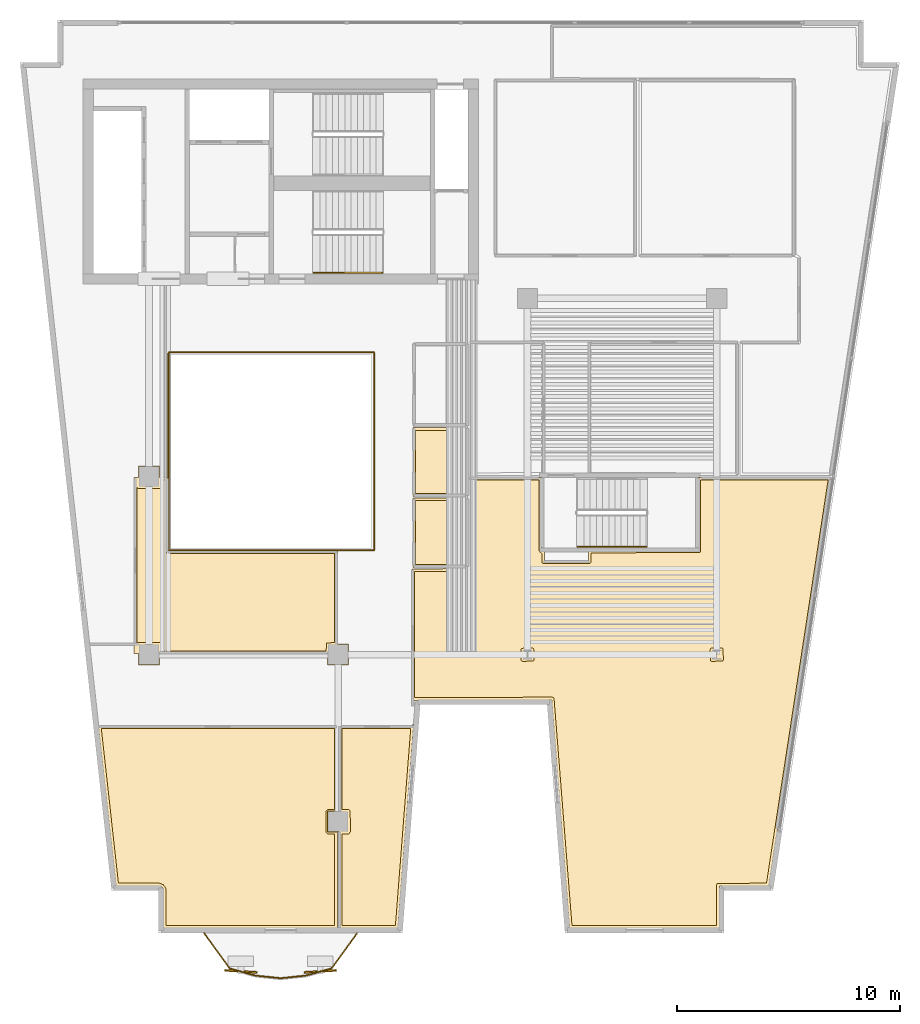
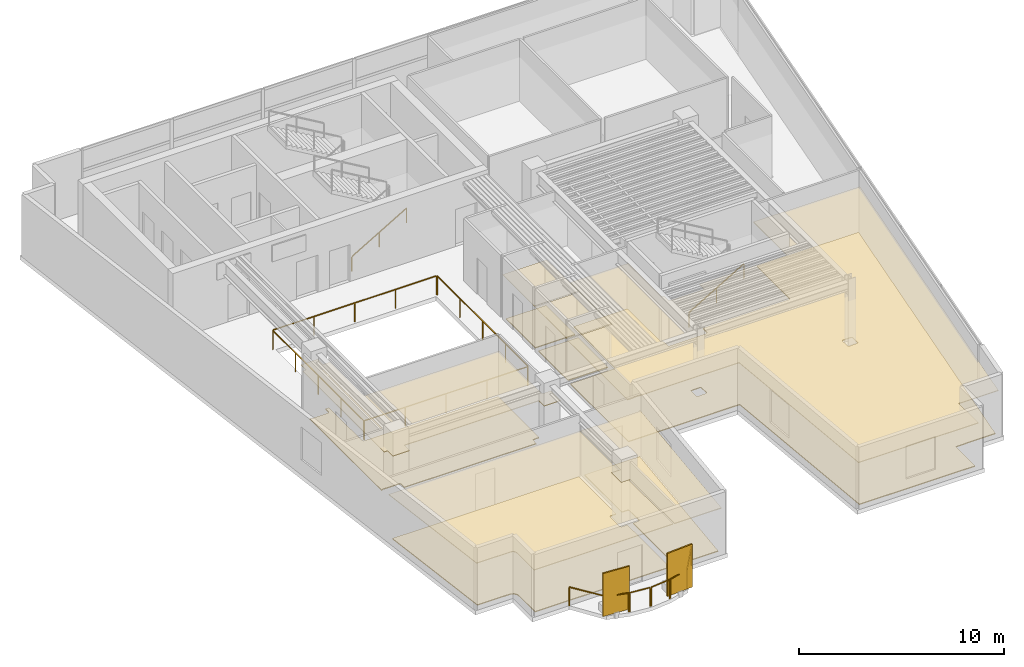
# One storey, part 7 of 8: 12 coverings, 12 railings, 2 shading devices.
"""IFC4 building model written with IfcOpenShell, lengths in metres."""

from ifc_helpers import new_model, si_unit, direction, frame, origin, origin_2d, place, context, subcontext, project, spatial, polyline, rectangle, outline, extrude, material, layer, layer_set, type_object, element, save


model = new_model("IFC4")

# Units and contexts
model_context = context("Model", 3, precision=1e-05, world=origin(), true_north=direction((0.0, 1.0)))
body_context = subcontext(model_context, "Body", "Model", "MODEL_VIEW")
ifc_project = project(units=[si_unit("LENGTHUNIT", "METRE"), si_unit("AREAUNIT", "SQUARE_METRE"), si_unit("VOLUMEUNIT", "CUBIC_METRE"), si_unit("PLANEANGLEUNIT", "RADIAN"), si_unit("MASSUNIT", "GRAM", prefix="KILO")], contexts=[model_context])

# Site, building, storey
site_placement = place(None, origin())
site = spatial("IfcSite", under=ifc_project, at=site_placement, CompositionType="ELEMENT")
building_placement = place(site_placement, origin())
building = spatial("IfcBuilding", under=site, at=building_placement, Name="Caeloran Harvest Quay", CompositionType="ELEMENT")
storey_placement = place(building_placement, frame((0.0, 0.0, 239.050048828125)))
storey = spatial("IfcBuildingStorey", under=building, at=storey_placement, Name="L57", CompositionType="ELEMENT", Elevation=239.050048828125)

# Coverings
ifc_material_1 = material(Name="Perforated Mineral-Fibre Acoustic Ceiling Tile", Category="ceiling")
ifc_layer_1 = layer(ifc_material_1, 0.0400390625, Name="Perforated Mineral-Fibre Acoustic Ceiling Tile")
ifc_layer_set_1 = layer_set([ifc_layer_1], Name="Perforated Mineral-Fibre Acoustic Ceiling Tile")
covering_type_1 = type_object("IfcCoveringType", Name="COV-CEILING-ACOUSTIC", PredefinedType="CEILING", material=ifc_layer_set_1)
covering_1_placement = place(storey_placement, frame((0.0, 0.0, 2.599853515625)))
element("IfcCovering", 1, at=covering_1_placement, inside=storey, type_object=covering_type_1, Name="L57 Female Washroom WC Acoustic Ceiling", PredefinedType="CEILING", context=body_context, shape_type="SweptSolid", body=[
    extrude(outline(polyline([(22.840087890625, 25.18994140625), (22.840087890625, 22.110107421875), (20.360107421875, 22.110107421875), (20.360107421875, 25.18994140625), (22.840087890625, 25.18994140625)])), origin(), (0.0, 0.0, 1.0), 0.0400390625),
])
covering_2_placement = place(storey_placement, frame((0.0, 0.0, 2.599853515625)))
element("IfcCovering", 2, at=covering_2_placement, inside=storey, type_object=covering_type_1, Name="L57 Accessible Unisex Washroom WC Acoustic Ceiling", PredefinedType="CEILING", context=body_context, shape_type="SweptSolid", body=[
    extrude(outline(polyline([(22.840087890625, 22.0400390625), (22.840087890625, 18.919921875), (20.360107421875, 18.919921875), (20.360107421875, 22.0400390625), (22.840087890625, 22.0400390625)])), origin(), (0.0, 0.0, 1.0), 0.0400390625),
])
covering_3_placement = place(storey_placement, frame((0.0, 0.0, 2.599853515625)))
element("IfcCovering", 3, at=covering_3_placement, inside=storey, type_object=covering_type_1, Name="Sawtooth Terrace Design Studio Office Acoustic Ceiling", PredefinedType="CEILING", context=body_context, shape_type="SweptSolid", body=[
    extrude(outline(polyline([(17.0400390625, 7.030029296875), (16.530029296875, 7.030029296875), (16.530029296875, 7.969970703125), (17.0400390625, 7.969970703125), (17.0400390625, 11.81005859375), (20.31494140625, 11.81005859375), (20.394287109375, 11.9169921875), (19.680419921875, 2.719970703125), (17.0400390625, 2.719970703125), (17.0400390625, 7.030029296875)])), origin(), (0.0, 0.0, 1.0), 0.0400390625),
])
covering_4_placement = place(storey_placement, frame((0.0, 0.0, 2.599853515625)))
element("IfcCovering", 4, at=covering_4_placement, inside=storey, type_object=covering_type_1, Name="Botanical Architecture Atelier Acoustic Ceiling", PredefinedType="CEILING", context=body_context, shape_type="SweptSolid", body=[
    extrude(outline(polyline([(9.1298828125, 4.503662109375), (9.05810546875, 4.5830078125), (8.95751953125, 4.618896484375), (7.022705078125, 4.6201171875), (6.227294921875, 11.81005859375), (16.9599609375, 11.81005859375), (16.9599609375, 7.969970703125), (17.469970703125, 7.969970703125), (17.469970703125, 7.030029296875), (16.9599609375, 7.030029296875), (16.9599609375, 2.719970703125), (9.156005859375, 2.719970703125), (9.156005859375, 4.39892578125), (9.1298828125, 4.503662109375)])), origin(), (0.0, 0.0, 1.0), 0.0400390625),
])
covering_5_placement = place(storey_placement, frame((0.0, 0.0, 2.599853515625)))
element("IfcCovering", 5, at=covering_5_placement, inside=storey, type_object=covering_type_1, Name="Material Testing Laboratory Acoustic Ceiling", PredefinedType="CEILING", context=body_context, shape_type="SweptSolid", body=[
    extrude(outline(polyline([(26.587646484375, 12.9677734375), (20.68505859375, 12.969970703125), (20.593017578125, 12.95068359375), (20.31005859375, 12.949951171875), (20.31005859375, 18.849853515625), (22.864990234375, 18.863037109375), (22.8701171875, 22.9599609375), (26.139892578125, 22.9599609375), (26.139892578125, 19.69921875), (26.259765625, 19.6044921875), (26.26318359375, 19.2099609375), (28.239990234375, 19.2099609375), (28.239990234375, 19.68994140625), (33.159912109375, 19.68994140625), (33.159912109375, 22.9599609375), (39.139404296875, 22.9599609375), (36.33740234375, 4.6201171875), (34.115966796875, 4.6201171875), (34.115966796875, 2.719970703125), (27.387451171875, 2.719970703125), (26.587646484375, 12.9677734375)])), origin(), (0.0, 0.0, 1.0), 0.0400390625),
])
covering_6_placement = place(storey_placement, frame((0.0, 0.0, 2.599853515625)))
element("IfcCovering", 6, at=covering_6_placement, inside=storey, type_object=covering_type_1, Name="Principal Partner Office Acoustic Ceiling", PredefinedType="CEILING", context=body_context, shape_type="SweptSolid", body=[
    extrude(outline(polyline([(8.030029296875, 15.0400390625), (7.840087890625, 15.0400390625), (7.840087890625, 22.9599609375), (8.030029296875, 22.9599609375), (8.030029296875, 23.469970703125), (8.969970703125, 23.469970703125), (8.969970703125, 22.9599609375), (9.360107421875, 22.9599609375), (9.360107421875, 19.659912109375), (16.9599609375, 19.659912109375), (16.9599609375, 15.469970703125), (17.469970703125, 15.469970703125), (17.469970703125, 14.530029296875), (16.530029296875, 14.530029296875), (16.530029296875, 15.0400390625), (8.969970703125, 15.0400390625), (8.969970703125, 14.530029296875), (8.030029296875, 14.530029296875), (8.030029296875, 15.0400390625)])), origin(), (0.0, 0.0, 1.0), 0.0400390625),
])
ifc_material_2 = material(Name="Calcium-Sulphate Raised Access Floor and Terrazzo Finish", Category="flooring")
ifc_layer_2 = layer(ifc_material_2, 0.050048828125, Name="Calcium-Sulphate Raised Access Floor and Terrazzo Finish")
ifc_layer_set_2 = layer_set([ifc_layer_2], Name="Calcium-Sulphate Raised Access Floor and Terrazzo Finish")
covering_type_2 = type_object("IfcCoveringType", Name="COV-FLOOR-RAISED", PredefinedType="FLOORING", material=ifc_layer_set_2)
covering_7_placement = place(storey_placement, origin())
element("IfcCovering", 7, at=covering_7_placement, inside=storey, type_object=covering_type_2, Name="L57 Female Washroom WC Raised Finish Flooring", PredefinedType="FLOORING", context=body_context, shape_type="SweptSolid", body=[
    extrude(outline(polyline([(22.719970703125, 25.070068359375), (22.719970703125, 22.22998046875), (20.47998046875, 22.22998046875), (20.47998046875, 25.070068359375), (22.719970703125, 25.070068359375)])), origin(), (0.0, 0.0, 1.0), 0.050048828125),
])
covering_8_placement = place(storey_placement, origin())
element("IfcCovering", 8, at=covering_8_placement, inside=storey, type_object=covering_type_2, Name="L57 Accessible Unisex Washroom WC Raised Finish Flooring", PredefinedType="FLOORING", context=body_context, shape_type="SweptSolid", body=[
    extrude(outline(polyline([(22.719970703125, 21.919921875), (22.719970703125, 19.0400390625), (20.47998046875, 19.0400390625), (20.47998046875, 21.919921875), (22.719970703125, 21.919921875)])), origin(), (0.0, 0.0, 1.0), 0.050048828125),
])
covering_9_placement = place(storey_placement, origin())
element("IfcCovering", 9, at=covering_9_placement, inside=storey, type_object=covering_type_2, Name="Sawtooth Terrace Design Studio Office Raised Finish Flooring", PredefinedType="FLOORING", context=body_context, shape_type="SweptSolid", body=[
    extrude(outline(polyline([(17.159912109375, 2.840087890625), (17.159912109375, 6.955078125), (17.480712890625, 6.95654296875), (17.544921875, 7.034912109375), (17.538818359375, 7.99560546875), (17.472900390625, 8.044677734375), (17.159912109375, 8.044921875), (17.159912109375, 11.68994140625), (20.256591796875, 11.68994140625), (19.569580078125, 2.840087890625), (17.159912109375, 2.840087890625)])), origin(), (0.0, 0.0, 1.0), 0.050048828125),
])
covering_10_placement = place(storey_placement, origin())
element("IfcCovering", 10, at=covering_10_placement, inside=storey, type_object=covering_type_2, Name="Botanical Architecture Atelier Raised Finish Flooring", PredefinedType="FLOORING", context=body_context, shape_type="SweptSolid", body=[
    extrude(outline(polyline([(9.25146484375, 4.5263671875), (9.148681640625, 4.665283203125), (8.97314453125, 4.73779296875), (7.13037109375, 4.739990234375), (6.361328125, 11.68994140625), (16.840087890625, 11.68994140625), (16.840087890625, 8.044921875), (16.519287109375, 8.04345703125), (16.455078125, 7.965087890625), (16.461181640625, 7.00439453125), (16.527099609375, 6.955322265625), (16.840087890625, 6.955078125), (16.840087890625, 2.840087890625), (9.27587890625, 2.840087890625), (9.27587890625, 4.39990234375), (9.25146484375, 4.5263671875)])), origin(), (0.0, 0.0, 1.0), 0.050048828125),
])
covering_11_placement = place(storey_placement, origin())
element("IfcCovering", 11, at=covering_11_placement, inside=storey, type_object=covering_type_2, Name="Material Testing Laboratory Raised Finish Flooring", PredefinedType="FLOORING", context=body_context, shape_type="SweptSolid", body=[
    extrude(outline(polyline([(28.360107421875, 19.570068359375), (33.244384765625, 19.58349609375), (33.280029296875, 19.64990234375), (33.280029296875, 22.840087890625), (38.99951171875, 22.840087890625), (36.234375, 4.739990234375), (34.025146484375, 4.7216796875), (33.99609375, 4.659912109375), (33.99609375, 2.840087890625), (27.49853515625, 2.840087890625), (26.691650390625, 13.051513671875), (26.63232421875, 13.08740234375), (26.384033203125, 13.090087890625), (20.429931640625, 13.0703125), (20.429931640625, 18.73046875), (22.905517578125, 18.743408203125), (22.971435546875, 18.779052734375), (22.989990234375, 22.840087890625), (26.02001953125, 22.840087890625), (26.02001953125, 19.679931640625), (26.038818359375, 19.62841796875), (26.140380859375, 19.5458984375), (26.157470703125, 19.125244140625), (26.2236328125, 19.090087890625), (28.295654296875, 19.091552734375), (28.359619140625, 19.162109375), (28.360107421875, 19.570068359375)]), holes=[polyline([(33.781982421875, 15.302978515625), (33.725341796875, 15.279541015625), (33.702392578125, 15.230712890625), (33.72021484375, 14.726318359375), (33.781982421875, 14.697021484375), (34.268798828125, 14.715087890625), (34.298095703125, 14.777099609375), (34.27978515625, 15.273681640625), (34.225830078125, 15.302490234375), (33.781982421875, 15.302978515625)]), polyline([(25.725830078125, 15.302490234375), (25.231201171875, 15.284912109375), (25.202392578125, 15.230712890625), (25.22021484375, 14.726318359375), (25.281982421875, 14.697021484375), (25.768798828125, 14.715087890625), (25.798095703125, 14.777099609375), (25.77978515625, 15.273681640625), (25.725830078125, 15.302490234375)])]), origin(), (0.0, 0.0, 1.0), 0.050048828125),
])
covering_12_placement = place(storey_placement, origin())
element("IfcCovering", 12, at=covering_12_placement, inside=storey, type_object=covering_type_2, Name="Principal Partner Office Raised Finish Flooring", PredefinedType="FLOORING", context=body_context, shape_type="SweptSolid", body=[
    extrude(outline(polyline([(7.9599609375, 15.49267578125), (7.9599609375, 22.50732421875), (8.034912109375, 22.455078125), (8.98828125, 22.45849609375), (9.04345703125, 22.519287109375), (9.044921875, 22.840087890625), (9.239990234375, 22.840087890625), (9.239990234375, 19.64990234375), (9.2607421875, 19.585693359375), (9.314208984375, 19.5458984375), (16.840087890625, 19.5400390625), (16.840087890625, 15.544921875), (16.478515625, 15.521484375), (16.455078125, 15.159912109375), (9.044921875, 15.159912109375), (9.04345703125, 15.480712890625), (8.98828125, 15.54150390625), (8.034912109375, 15.544921875), (7.9599609375, 15.49267578125)])), origin(), (0.0, 0.0, 1.0), 0.050048828125),
])

# Railings
ifc_material_3 = material(Name="Powder-Coated Steel Post and Laminated Glass Guardrail", Category="steel")
ifc_layer_3 = layer(ifc_material_3, 0.06005859375, Name="Powder-Coated Steel Post and Laminated Glass Guardrail")
ifc_layer_set_3 = layer_set([ifc_layer_3], Name="Powder-Coated Steel Post and Laminated Glass Guardrail")
railing_type_1 = type_object("IfcRailingType", Name="GUARD-ATRIUM-1150", PredefinedType="GUARDRAIL", material=ifc_layer_set_3)
railing_1_placement = place(storey_placement, frame((9.412109375, 19.679931640625, 0.0)))
element("IfcRailing", 13, at=railing_1_placement, inside=storey, type_object=railing_type_1, Name="L57 Skylit Atrium Void Perimeter Guardrail Seg 1", PredefinedType="GUARDRAIL", context=body_context, shape_type="SweptSolid", body=[
    extrude(rectangle(XDim=0.048095703125, YDim=0.048095703125, at=origin_2d()), frame((0.0, 0.0, 1.1259765625), z_axis=(1.0, 0.0, 0.0), x_axis=(0.0, 1.0, 0.0)), (0.0, 0.0, 1.0), 9.17578125),
    extrude(rectangle(XDim=0.0419921875, YDim=0.0419921875, at=origin_2d()), origin(), (0.0, 0.0, 1.0), 1.101806640625),
    extrude(rectangle(XDim=0.0419921875, YDim=0.0419921875, at=origin_2d()), frame((2.2939453125, 0.0, 0.0)), (0.0, 0.0, 1.0), 1.101806640625),
    extrude(rectangle(XDim=0.0419921875, YDim=0.0419921875, at=origin_2d()), frame((4.587890625, 0.0, 0.0)), (0.0, 0.0, 1.0), 1.101806640625),
    extrude(rectangle(XDim=0.0419921875, YDim=0.0419921875, at=origin_2d()), frame((6.8818359375, 0.0, 0.0)), (0.0, 0.0, 1.0), 1.101806640625),
    extrude(rectangle(XDim=0.0419921875, YDim=0.0419921875, at=origin_2d()), frame((9.17578125, 0.0, 0.0)), (0.0, 0.0, 1.0), 1.101806640625),
])
railing_2_placement = place(storey_placement, frame((18.6201171875, 19.7119140625, 0.0)))
element("IfcRailing", 14, at=railing_2_placement, inside=storey, type_object=railing_type_1, Name="L57 Skylit Atrium Void Perimeter Guardrail Seg 2", PredefinedType="GUARDRAIL", context=body_context, shape_type="SweptSolid", body=[
    extrude(rectangle(XDim=0.048095703125, YDim=0.048095703125, at=origin_2d()), frame((0.0, 0.0, 1.1259765625), z_axis=(0.0, 1.0, 0.0), x_axis=(-1.0, 0.0, 0.0)), (0.0, 0.0, 1.0), 8.826171875),
    extrude(rectangle(XDim=0.0419921875, YDim=0.0419921875, at=origin_2d()), origin(), (0.0, 0.0, 1.0), 1.101806640625),
    extrude(rectangle(XDim=0.0419921875, YDim=0.0419921875, at=origin_2d()), frame((0.0, 2.20654296875, 0.0)), (0.0, 0.0, 1.0), 1.101806640625),
    extrude(rectangle(XDim=0.0419921875, YDim=0.0419921875, at=origin_2d()), frame((0.0, 4.4130859375, 0.0)), (0.0, 0.0, 1.0), 1.101806640625),
    extrude(rectangle(XDim=0.0419921875, YDim=0.0419921875, at=origin_2d()), frame((0.0, 6.61962890625, 0.0)), (0.0, 0.0, 1.0), 1.101806640625),
    extrude(rectangle(XDim=0.0419921875, YDim=0.0419921875, at=origin_2d()), frame((0.0, 8.826171875, 0.0)), (0.0, 0.0, 1.0), 1.101806640625),
])
railing_3_placement = place(storey_placement, frame((18.587890625, 28.570068359375, 0.0)))
element("IfcRailing", 15, at=railing_3_placement, inside=storey, type_object=railing_type_1, Name="L57 Skylit Atrium Void Perimeter Guardrail Seg 3", PredefinedType="GUARDRAIL", context=body_context, shape_type="SweptSolid", body=[
    extrude(rectangle(XDim=0.048095703125, YDim=0.048095703125, at=origin_2d()), frame((0.0, 0.0, 1.1259765625), z_axis=(-1.0, 0.0, 0.0), x_axis=(0.0, -1.0, 0.0)), (0.0, 0.0, 1.0), 9.17578125),
    extrude(rectangle(XDim=0.0419921875, YDim=0.0419921875, at=origin_2d()), origin(), (0.0, 0.0, 1.0), 1.101806640625),
    extrude(rectangle(XDim=0.0419921875, YDim=0.0419921875, at=origin_2d()), frame((-2.2939453125, 0.0, 0.0)), (0.0, 0.0, 1.0), 1.101806640625),
    extrude(rectangle(XDim=0.0419921875, YDim=0.0419921875, at=origin_2d()), frame((-4.587890625, 0.0, 0.0)), (0.0, 0.0, 1.0), 1.101806640625),
    extrude(rectangle(XDim=0.0419921875, YDim=0.0419921875, at=origin_2d()), frame((-6.8818359375, 0.0, 0.0)), (0.0, 0.0, 1.0), 1.101806640625),
    extrude(rectangle(XDim=0.0419921875, YDim=0.0419921875, at=origin_2d()), frame((-9.17578125, 0.0, 0.0)), (0.0, 0.0, 1.0), 1.101806640625),
])
railing_4_placement = place(storey_placement, frame((9.3798828125, 28.5380859375, 0.0)))
element("IfcRailing", 16, at=railing_4_placement, inside=storey, type_object=railing_type_1, Name="L57 Skylit Atrium Void Perimeter Guardrail Seg 4", PredefinedType="GUARDRAIL", context=body_context, shape_type="SweptSolid", body=[
    extrude(rectangle(XDim=0.048095703125, YDim=0.048095703125, at=origin_2d()), frame((0.0, 0.0, 1.1259765625), z_axis=(0.0, -1.0, 0.0), x_axis=(1.0, 0.0, 0.0)), (0.0, 0.0, 1.0), 8.826171875),
    extrude(rectangle(XDim=0.0419921875, YDim=0.0419921875, at=origin_2d()), origin(), (0.0, 0.0, 1.0), 1.101806640625),
    extrude(rectangle(XDim=0.0419921875, YDim=0.0419921875, at=origin_2d()), frame((0.0, -2.20654296875, 0.0)), (0.0, 0.0, 1.0), 1.101806640625),
    extrude(rectangle(XDim=0.0419921875, YDim=0.0419921875, at=origin_2d()), frame((0.0, -4.4130859375, 0.0)), (0.0, 0.0, 1.0), 1.101806640625),
    extrude(rectangle(XDim=0.0419921875, YDim=0.0419921875, at=origin_2d()), frame((0.0, -6.61962890625, 0.0)), (0.0, 0.0, 1.0), 1.101806640625),
    extrude(rectangle(XDim=0.0419921875, YDim=0.0419921875, at=origin_2d()), frame((0.0, -8.826171875, 0.0)), (0.0, 0.0, 1.0), 1.101806640625),
])
ifc_material_4 = material(Name="Laminated Safety Glass and Stainless Steel 316", Category="steel")
ifc_layer_4 = layer(ifc_material_4, 0.06005859375, Name="Laminated Safety Glass and Stainless Steel 316")
ifc_layer_set_4 = layer_set([ifc_layer_4], Name="Laminated Safety Glass and Stainless Steel 316")
railing_type_2 = type_object("IfcRailingType", Name="GUARD-BALUSTRADE-1150", PredefinedType="BALUSTRADE", material=ifc_layer_set_4)
railing_5_placement = place(storey_placement, frame((17.843994140625, 2.47998046875, 0.0)))
element("IfcRailing", 17, at=railing_5_placement, inside=storey, type_object=railing_type_2, Name="L57 Planted Balcony Perimeter Balustrade Guard Seg 1", PredefinedType="BALUSTRADE", context=body_context, shape_type="SweptSolid", body=[
    extrude(rectangle(XDim=0.048095703125, YDim=0.048095703125, at=origin_2d()), frame((0.0, 0.0, 1.1259765625), z_axis=(-0.588551517232, -0.808459715486, 0.0), x_axis=(0.808459715486, -0.588551517232, 0.0)), (0.0, 0.0, 1.0), 1.91064453125),
    extrude(rectangle(XDim=0.0419921875, YDim=0.0419921875, at=origin_2d()), origin(), (0.0, 0.0, 1.0), 1.101806640625),
    extrude(rectangle(XDim=0.0419921875, YDim=0.0419921875, at=origin_2d()), frame((-1.12451171875, -1.544677734375, 0.0)), (0.0, 0.0, 1.0), 1.101806640625),
])
railing_6_placement = place(storey_placement, frame((16.669921875, 0.90087890625, 0.0)))
element("IfcRailing", 18, at=railing_6_placement, inside=storey, type_object=railing_type_2, Name="L57 Planted Balcony Perimeter Balustrade Guard Seg 2", PredefinedType="BALUSTRADE", context=body_context, shape_type="SweptSolid", body=[
    extrude(rectangle(XDim=0.048095703125, YDim=0.048095703125, at=origin_2d()), frame((0.0, 0.0, 1.1259765625), z_axis=(-0.962420562565, -0.271563364155, 0.0), x_axis=(0.271563364155, -0.962420562565, 0.0)), (0.0, 0.0, 1.0), 1.123779296875),
    extrude(rectangle(XDim=0.0419921875, YDim=0.0419921875, at=origin_2d()), origin(), (0.0, 0.0, 1.0), 1.101806640625),
    extrude(rectangle(XDim=0.0419921875, YDim=0.0419921875, at=origin_2d()), frame((-1.08154296875, -0.30517578125, 0.0)), (0.0, 0.0, 1.0), 1.101806640625),
])
railing_7_placement = place(storey_placement, frame((15.52587890625, 0.583740234375, 0.0)))
element("IfcRailing", 19, at=railing_7_placement, inside=storey, type_object=railing_type_2, Name="L57 Planted Balcony Perimeter Balustrade Guard Seg 3", PredefinedType="BALUSTRADE", context=body_context, shape_type="SweptSolid", body=[
    extrude(rectangle(XDim=0.048095703125, YDim=0.048095703125, at=origin_2d()), frame((0.0, 0.0, 1.1259765625), z_axis=(-0.994725087, -0.102576806801, 0.0), x_axis=(0.102576806801, -0.994725087, 0.0)), (0.0, 0.0, 1.0), 1.085205078125),
    extrude(rectangle(XDim=0.0419921875, YDim=0.0419921875, at=origin_2d()), origin(), (0.0, 0.0, 1.0), 1.101806640625),
    extrude(rectangle(XDim=0.0419921875, YDim=0.0419921875, at=origin_2d()), frame((-1.07958984375, -0.111328125, 0.0)), (0.0, 0.0, 1.0), 1.101806640625),
])
railing_8_placement = place(storey_placement, frame((14.3828125, 0.472412109375, 0.0)))
element("IfcRailing", 20, at=railing_8_placement, inside=storey, type_object=railing_type_2, Name="L57 Planted Balcony Perimeter Balustrade Guard Seg 4", PredefinedType="BALUSTRADE", context=body_context, shape_type="SweptSolid", body=[
    extrude(rectangle(XDim=0.048095703125, YDim=0.048095703125, at=origin_2d()), frame((0.0, 0.0, 1.1259765625), z_axis=(-0.994727453121, 0.10255385906, 0.0), x_axis=(-0.10255385906, -0.994727453121, 0.0)), (0.0, 0.0, 1.0), 1.08544921875),
    extrude(rectangle(XDim=0.0419921875, YDim=0.0419921875, at=origin_2d()), origin(), (0.0, 0.0, 1.0), 1.101806640625),
    extrude(rectangle(XDim=0.0419921875, YDim=0.0419921875, at=origin_2d()), frame((-1.079833984375, 0.111328125, 0.0)), (0.0, 0.0, 1.0), 1.101806640625),
])
railing_9_placement = place(storey_placement, frame((13.240478515625, 0.595703125, 0.0)))
element("IfcRailing", 21, at=railing_9_placement, inside=storey, type_object=railing_type_2, Name="L57 Planted Balcony Perimeter Balustrade Guard Seg 5", PredefinedType="BALUSTRADE", context=body_context, shape_type="SweptSolid", body=[
    extrude(rectangle(XDim=0.048095703125, YDim=0.048095703125, at=origin_2d()), frame((0.0, 0.0, 1.1259765625), z_axis=(-0.962420562565, 0.271563364155, 0.0), x_axis=(-0.271563364155, -0.962420562565, 0.0)), (0.0, 0.0, 1.0), 1.123779296875),
    extrude(rectangle(XDim=0.0419921875, YDim=0.0419921875, at=origin_2d()), origin(), (0.0, 0.0, 1.0), 1.101806640625),
    extrude(rectangle(XDim=0.0419921875, YDim=0.0419921875, at=origin_2d()), frame((-1.08154296875, 0.30517578125, 0.0)), (0.0, 0.0, 1.0), 1.101806640625),
])
railing_10_placement = place(storey_placement, frame((12.109375, 0.935302734375, 0.0)))
element("IfcRailing", 22, at=railing_10_placement, inside=storey, type_object=railing_type_2, Name="L57 Planted Balcony Perimeter Balustrade Guard Seg 6", PredefinedType="BALUSTRADE", context=body_context, shape_type="SweptSolid", body=[
    extrude(rectangle(XDim=0.048095703125, YDim=0.048095703125, at=origin_2d()), frame((0.0, 0.0, 1.1259765625), z_axis=(-0.588467990342, 0.808520515721, 0.0), x_axis=(-0.808520515721, -0.588467990342, 0.0)), (0.0, 0.0, 1.0), 1.910400390625),
    extrude(rectangle(XDim=0.0419921875, YDim=0.0419921875, at=origin_2d()), origin(), (0.0, 0.0, 1.0), 1.101806640625),
    extrude(rectangle(XDim=0.0419921875, YDim=0.0419921875, at=origin_2d()), frame((-1.124267578125, 1.544677734375, 0.0)), (0.0, 0.0, 1.0), 1.101806640625),
])

# Shading devices
ifc_material_5 = material(Name="3003-H14 Perforated Powder-Coated Aluminium", Category="aluminium")
shading_device_type = type_object("IfcShadingDeviceType", Name="SHADE-SCREEN-FOLDED", PredefinedType="USERDEFINED", material=ifc_material_5)
for number, where, z_axis, x_axis, name in (
    (23, (16.19775390625, 0.775146484375, 0.07470703125), (0.0, 0.0, 1.0), (0.997801468292, 0.0662739004, 0.0), "L57 Folded Facade Breathing Screen 1"),
    (24, (12.631103515625, 0.775146484375, 0.07470703125), (0.0, 0.0, 1.0), (0.997801468292, -0.0662739004, 0.0), "L57 Folded Facade Breathing Screen 2"),
):
    element("IfcShadingDevice", number, at=place(storey_placement, frame(where, z_axis=z_axis, x_axis=x_axis)), inside=storey, type_object=shading_device_type, Name=name, ObjectType="SCREEN", PredefinedType="USERDEFINED", context=body_context, shape_type="SweptSolid", body=[
        extrude(rectangle(XDim=1.449951171875, YDim=0.080078125, at=origin_2d()), origin(), (0.0, 0.0, 1.0), 2.550048828125),
    ])

# Railings
ifc_material_6 = material(Name="Brushed Stainless Steel Grade 304", Category="steel")
ifc_layer_5 = layer(ifc_material_6, 0.050048828125, Name="Brushed Stainless Steel Grade 304")
ifc_layer_set_5 = layer_set([ifc_layer_5], Name="Brushed Stainless Steel Grade 304")
railing_type_3 = type_object("IfcRailingType", Name="STAIR-HANDRAIL-900", PredefinedType="HANDRAIL", material=ifc_layer_set_5)
for number, where, name in (
    (25, (15.89990234375, 32.14990234375, 0.16455078125), "L57 ST-C2 stair handrail 1"),
    (26, (27.75, 19.85009765625, 0.16455078125), "L57 ST-W1 stair handrail 1"),
):
    element("IfcRailing", number, at=place(storey_placement, frame(where)), inside=storey, type_object=railing_type_3, Name=name, PredefinedType="HANDRAIL", context=body_context, shape_type="SweptSolid", body=[
        extrude(rectangle(XDim=0.048095703125, YDim=0.048095703125, at=origin_2d()), frame((0.0, 0.0, 0.8759765625), z_axis=(0.862118610829, 0.0, 0.506706523406), x_axis=(0.0, 1.0, 0.0)), (0.0, 0.0, 1.0), 3.57275390625),
        extrude(rectangle(XDim=0.0419921875, YDim=0.0419921875, at=origin_2d()), origin(), (0.0, 0.0, 1.0), 0.851806640625),
        extrude(rectangle(XDim=0.0419921875, YDim=0.0419921875, at=origin_2d()), frame((1.5400390625, 0.0, 0.9052734375)), (0.0, 0.0, 1.0), 0.851806640625),
        extrude(rectangle(XDim=0.0419921875, YDim=0.0419921875, at=origin_2d()), frame((3.080078125, 0.0, 1.810302734375)), (0.0, 0.0, 1.0), 0.851806640625),
    ])

save(model, "model.ifc")
